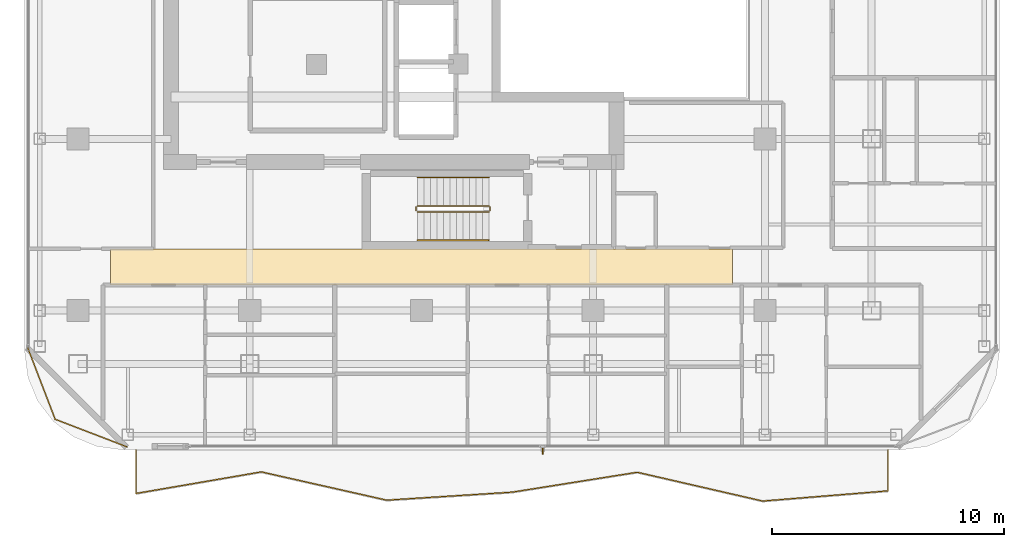
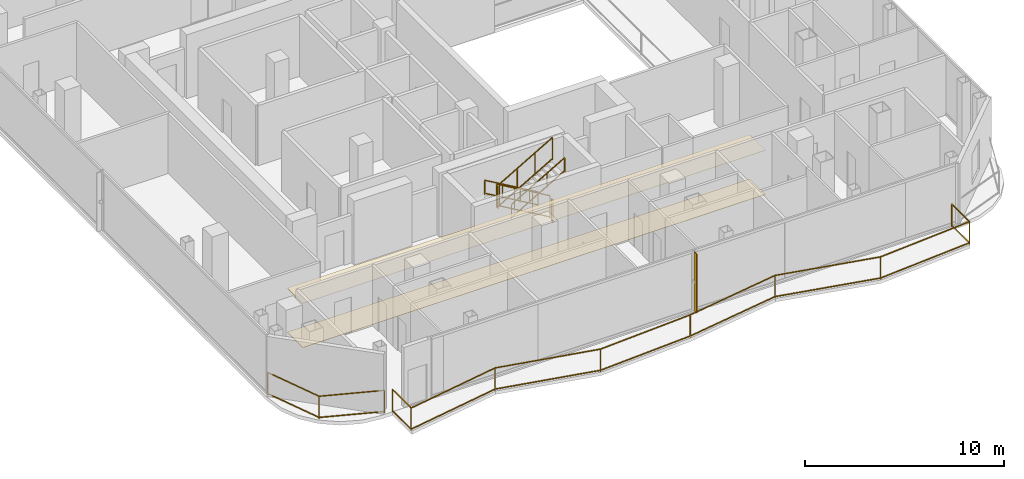
# One storey, part 22 of 26: 8 railings, 2 coverings, 1 shading device.
"""IFC4 building model written with IfcOpenShell, lengths in metres."""

from ifc_helpers import new_model, si_unit, direction, frame, origin, origin_2d, place, context, subcontext, project, spatial, polyline, rectangle, outline, extrude, material, layer, layer_set, type_object, element, save


model = new_model("IFC4")

# Units and contexts
model_context = context("Model", 3, precision=1e-05, world=origin(), true_north=direction((0.0, 1.0)))
body_context = subcontext(model_context, "Body", "Model", "MODEL_VIEW")
ifc_project = project(units=[si_unit("LENGTHUNIT", "METRE"), si_unit("AREAUNIT", "SQUARE_METRE"), si_unit("VOLUMEUNIT", "CUBIC_METRE"), si_unit("PLANEANGLEUNIT", "RADIAN"), si_unit("MASSUNIT", "GRAM", prefix="KILO")], contexts=[model_context])

# Site, building, storey
site_placement = place(None, origin())
site = spatial("IfcSite", under=ifc_project, at=site_placement, CompositionType="ELEMENT")
building_placement = place(site_placement, origin())
building = spatial("IfcBuilding", under=site, at=building_placement, Name="Khorvyn Point Tower", CompositionType="ELEMENT")
storey_placement = place(building_placement, frame((0.0, 0.0, 262.5)))
storey = spatial("IfcBuildingStorey", under=building, at=storey_placement, Name="L64", CompositionType="ELEMENT", Elevation=262.5)

# Railings
ifc_material_1 = material(Name="Anodised aluminium 6063-T6 and laminated safety glass", Category="aluminium")
railing_type_1 = type_object("IfcRailingType", Name="Laminated Glass and Aluminium Balcony Guardrail 1400", PredefinedType="BALUSTRADE", material=ifc_material_1)
railing_1_placement = place(storey_placement, frame((-16.974365234375, -16.386474609375, 0.0)))
element("IfcRailing", 1, at=railing_1_placement, inside=storey, type_object=railing_type_1, Name="L64 Rounded Corner Edge Guardrail SW", PredefinedType="BALUSTRADE", context=body_context, shape_type="SweptSolid", body=[
    extrude(rectangle(XDim=0.048095703125, YDim=0.048095703125, at=origin_2d()), frame((0.0, 0.0, 1.3759765625), z_axis=(0.358367799998, -0.933580483903, 0.0), x_axis=(0.933580483903, 0.358367799998, 0.0)), (0.0, 0.0, 1.0), 3.319091796875),
    extrude(rectangle(XDim=0.048095703125, YDim=0.048095703125, at=origin_2d()), frame((0.0, 0.0, 0.080078125), z_axis=(0.358367799998, -0.933580483903, 0.0), x_axis=(0.933580483903, 0.358367799998, 0.0)), (0.0, 0.0, 1.0), 3.319091796875),
    extrude(rectangle(XDim=0.048095703125, YDim=0.048095703125, at=origin_2d()), frame((1.189453125, -3.0986328125, 1.3759765625), z_axis=(0.933595647299, -0.358328295484, 0.0), x_axis=(0.358328295484, 0.933595647299, 0.0)), (0.0, 0.0, 1.0), 3.31884765625),
    extrude(rectangle(XDim=0.048095703125, YDim=0.048095703125, at=origin_2d()), frame((1.189453125, -3.0986328125, 0.080078125), z_axis=(0.933595647299, -0.358328295484, 0.0), x_axis=(0.358328295484, 0.933595647299, 0.0)), (0.0, 0.0, 1.0), 3.31884765625),
    extrude(rectangle(XDim=0.0419921875, YDim=0.0419921875, at=origin_2d()), origin(), (0.0, 0.0, 1.0), 1.351806640625),
    extrude(rectangle(XDim=0.0419921875, YDim=0.0419921875, at=origin_2d()), frame((1.189453125, -3.0986328125, 0.0)), (0.0, 0.0, 1.0), 1.351806640625),
    extrude(rectangle(XDim=0.0419921875, YDim=0.0419921875, at=origin_2d()), frame((4.287841796875, -4.287841796875, 0.0)), (0.0, 0.0, 1.0), 1.351806640625),
])
railing_2_placement = place(storey_placement, frame((-12.300048828125, -20.800048828125, 0.0)))
element("IfcRailing", 2, at=railing_2_placement, inside=storey, type_object=railing_type_1, Name="L64 South Balcony Guardrail", PredefinedType="BALUSTRADE", context=body_context, shape_type="SweptSolid", body=[
    extrude(rectangle(XDim=0.048095703125, YDim=0.048095703125, at=origin_2d()), frame((0.0, 0.0, 1.3759765625), z_axis=(0.0, -1.0, 0.0), x_axis=(1.0, 0.0, 0.0)), (0.0, 0.0, 1.0), 1.88134765625),
    extrude(rectangle(XDim=0.048095703125, YDim=0.048095703125, at=origin_2d()), frame((0.0, 0.0, 0.080078125), z_axis=(0.0, -1.0, 0.0), x_axis=(1.0, 0.0, 0.0)), (0.0, 0.0, 1.0), 1.88134765625),
    extrude(rectangle(XDim=0.048095703125, YDim=0.048095703125, at=origin_2d()), frame((0.0, -1.88134765625, 1.3759765625), z_axis=(0.985524357442, 0.169533893036, 0.0), x_axis=(-0.169533893036, 0.985524357442, 0.0)), (0.0, 0.0, 1.0), 5.4794921875),
    extrude(rectangle(XDim=0.048095703125, YDim=0.048095703125, at=origin_2d()), frame((0.0, -1.88134765625, 0.080078125), z_axis=(0.985524357442, 0.169533893036, 0.0), x_axis=(-0.169533893036, 0.985524357442, 0.0)), (0.0, 0.0, 1.0), 5.4794921875),
    extrude(rectangle(XDim=0.048095703125, YDim=0.048095703125, at=origin_2d()), frame((5.400146484375, -0.952392578125, 1.3759765625), z_axis=(0.975501488729, -0.219992830535, 0.0), x_axis=(0.219992830535, 0.975501488729, 0.0)), (0.0, 0.0, 1.0), 5.535400390625),
    extrude(rectangle(XDim=0.048095703125, YDim=0.048095703125, at=origin_2d()), frame((5.400146484375, -0.952392578125, 0.080078125), z_axis=(0.975501488729, -0.219992830535, 0.0), x_axis=(0.219992830535, 0.975501488729, 0.0)), (0.0, 0.0, 1.0), 5.535400390625),
    extrude(rectangle(XDim=0.048095703125, YDim=0.048095703125, at=origin_2d()), frame((10.800048828125, -2.170166015625, 1.3759765625), z_axis=(0.997982791222, 0.063485025194, 0.0), x_axis=(-0.063485025194, 0.997982791222, 0.0)), (0.0, 0.0, 1.0), 5.410888671875),
    extrude(rectangle(XDim=0.048095703125, YDim=0.048095703125, at=origin_2d()), frame((10.800048828125, -2.170166015625, 0.080078125), z_axis=(0.997982791222, 0.063485025194, 0.0), x_axis=(-0.063485025194, 0.997982791222, 0.0)), (0.0, 0.0, 1.0), 5.410888671875),
    extrude(rectangle(XDim=0.048095703125, YDim=0.048095703125, at=origin_2d()), frame((16.199951171875, -1.82666015625, 1.3759765625), z_axis=(0.987593686239, 0.157030923392, 0.0), x_axis=(-0.157030923392, 0.987593686239, 0.0)), (0.0, 0.0, 1.0), 5.468017578125),
    extrude(rectangle(XDim=0.048095703125, YDim=0.048095703125, at=origin_2d()), frame((16.199951171875, -1.82666015625, 0.080078125), z_axis=(0.987593686239, 0.157030923392, 0.0), x_axis=(-0.157030923392, 0.987593686239, 0.0)), (0.0, 0.0, 1.0), 5.468017578125),
    extrude(rectangle(XDim=0.048095703125, YDim=0.048095703125, at=origin_2d()), frame((21.60009765625, -0.968017578125, 1.3759765625), z_axis=(0.974604637949, -0.223932578445, 0.0), x_axis=(0.223932578445, 0.974604637949, 0.0)), (0.0, 0.0, 1.0), 5.54052734375),
    extrude(rectangle(XDim=0.048095703125, YDim=0.048095703125, at=origin_2d()), frame((21.60009765625, -0.968017578125, 0.080078125), z_axis=(0.974604637949, -0.223932578445, 0.0), x_axis=(0.223932578445, 0.974604637949, 0.0)), (0.0, 0.0, 1.0), 5.54052734375),
    extrude(rectangle(XDim=0.048095703125, YDim=0.048095703125, at=origin_2d()), frame((27.0, -2.208740234375, 1.3759765625), z_axis=(0.996726987626, 0.080841277445, 0.0), x_axis=(-0.080841277445, 0.996726987626, 0.0)), (0.0, 0.0, 1.0), 5.41796875),
    extrude(rectangle(XDim=0.048095703125, YDim=0.048095703125, at=origin_2d()), frame((27.0, -2.208740234375, 0.080078125), z_axis=(0.996726987626, 0.080841277445, 0.0), x_axis=(-0.080841277445, 0.996726987626, 0.0)), (0.0, 0.0, 1.0), 5.41796875),
    extrude(rectangle(XDim=0.048095703125, YDim=0.048095703125, at=origin_2d()), frame((32.400146484375, -1.770751953125, 1.3759765625), z_axis=(0.0, 1.0, 0.0), x_axis=(-1.0, 0.0, 0.0)), (0.0, 0.0, 1.0), 1.770751953125),
    extrude(rectangle(XDim=0.048095703125, YDim=0.048095703125, at=origin_2d()), frame((32.400146484375, -1.770751953125, 0.080078125), z_axis=(0.0, 1.0, 0.0), x_axis=(-1.0, 0.0, 0.0)), (0.0, 0.0, 1.0), 1.770751953125),
    extrude(rectangle(XDim=0.0419921875, YDim=0.0419921875, at=origin_2d()), origin(), (0.0, 0.0, 1.0), 1.351806640625),
    extrude(rectangle(XDim=0.0419921875, YDim=0.0419921875, at=origin_2d()), frame((0.0, -1.88134765625, 0.0)), (0.0, 0.0, 1.0), 1.351806640625),
    extrude(rectangle(XDim=0.0419921875, YDim=0.0419921875, at=origin_2d()), frame((5.400146484375, -0.952392578125, 0.0)), (0.0, 0.0, 1.0), 1.351806640625),
    extrude(rectangle(XDim=0.0419921875, YDim=0.0419921875, at=origin_2d()), frame((10.800048828125, -2.170166015625, 0.0)), (0.0, 0.0, 1.0), 1.351806640625),
    extrude(rectangle(XDim=0.0419921875, YDim=0.0419921875, at=origin_2d()), frame((16.199951171875, -1.82666015625, 0.0)), (0.0, 0.0, 1.0), 1.351806640625),
    extrude(rectangle(XDim=0.0419921875, YDim=0.0419921875, at=origin_2d()), frame((21.60009765625, -0.968017578125, 0.0)), (0.0, 0.0, 1.0), 1.351806640625),
    extrude(rectangle(XDim=0.0419921875, YDim=0.0419921875, at=origin_2d()), frame((27.0, -2.208740234375, 0.0)), (0.0, 0.0, 1.0), 1.351806640625),
    extrude(rectangle(XDim=0.0419921875, YDim=0.0419921875, at=origin_2d()), frame((32.400146484375, -1.770751953125, 0.0)), (0.0, 0.0, 1.0), 1.351806640625),
    extrude(rectangle(XDim=0.0419921875, YDim=0.0419921875, at=origin_2d()), frame((32.400146484375, 0.0, 0.0)), (0.0, 0.0, 1.0), 1.351806640625),
])

# Shading device
ifc_material_2 = material(Name="Pale anodised aluminium 6063-T6", Category="aluminium")
ifc_layer_1 = layer(ifc_material_2, 0.054931640625)
ifc_layer_set_1 = layer_set([ifc_layer_1], Name="Pale Anodised Aluminium FIN 260x55")
shading_device_type = type_object("IfcShadingDeviceType", Name="Pale Anodised Aluminium FIN 260x55", PredefinedType="USERDEFINED", material=ifc_layer_set_1)
shading_device_placement = place(storey_placement, frame((5.220458984375, -20.8701171875, 0.0400390625), z_axis=(0.0, 0.0, 1.0), x_axis=(0.0, -1.0, 0.0)))
element("IfcShadingDevice", 3, at=shading_device_placement, inside=storey, type_object=shading_device_type, Name="L64 Anodised FIN 01", ObjectType="FIN", PredefinedType="USERDEFINED", context=body_context, shape_type="SweptSolid", body=[
    extrude(rectangle(XDim=0.260009765625, YDim=0.054931640625, at=origin_2d()), origin(), (0.0, 0.0, 1.0), 3.60009765625),
])

# Coverings
ifc_material_3 = material(Name="Mineral-fibre acoustic ceiling board", Category="gypsum")
ifc_layer_2 = layer(ifc_material_3, 0.02001953125)
ifc_layer_set_2 = layer_set([ifc_layer_2], Name="Perforated Mineral-Fibre Acoustic Suspended Ceiling 20")
covering_type_1 = type_object("IfcCoveringType", Name="Perforated Mineral-Fibre Acoustic Suspended Ceiling 20", PredefinedType="CEILING", material=ifc_layer_set_2)
covering_1_placement = place(storey_placement, frame((0.0, 0.0, 2.699951171875)))
element("IfcCovering", 4, at=covering_1_placement, inside=storey, type_object=covering_type_1, Name="L64 South Corridor Acoustic Ceiling", PredefinedType="CEILING", context=body_context, shape_type="SweptSolid", body=[
    extrude(outline(polyline([(-13.39990234375, -13.7099609375), (13.39990234375, -13.7099609375), (13.39990234375, -12.139892578125), (-13.39990234375, -12.139892578125), (-13.39990234375, -13.7099609375)])), origin(), (0.0, 0.0, 1.0), 0.02001953125),
])
ifc_material_4 = material(Name="Vitrified porcelain terrazzo tile", Category="ceramic")
ifc_layer_3 = layer(ifc_material_4, 0.01806640625)
ifc_layer_set_3 = layer_set([ifc_layer_3], Name="Porcelain Terrazzo Corridor Floor Finish Tile 18")
covering_type_2 = type_object("IfcCoveringType", Name="Porcelain Terrazzo Corridor Floor Finish Tile 18", PredefinedType="FLOORING", material=ifc_layer_set_3)
covering_2_placement = place(storey_placement, origin())
element("IfcCovering", 5, at=covering_2_placement, inside=storey, type_object=covering_type_2, Name="L64 South Corridor Terrazzo Flooring", PredefinedType="FLOORING", context=body_context, shape_type="SweptSolid", body=[
    extrude(outline(polyline([(-13.39990234375, -13.7099609375), (13.39990234375, -13.7099609375), (13.39990234375, -12.139892578125), (-13.39990234375, -12.139892578125), (-13.39990234375, -13.7099609375)])), origin(), (0.0, 0.0, 1.0), 0.01806640625),
])

# Railings
ifc_material_5 = material(Name="Stainless steel 1.4301", Category="steel")
railing_type_2 = type_object("IfcRailingType", Name="Stainless Steel 304 Stair Pitch Handrail 900", PredefinedType="HANDRAIL", material=ifc_material_5)
railing_3_placement = place(storey_placement, frame((2.89990234375, -9.070068359375, 0.16259765625)))
element("IfcRailing", 6, at=railing_3_placement, inside=storey, type_object=railing_type_2, Name="L64 ST-01 stair handrail 1", PredefinedType="HANDRAIL", context=body_context, shape_type="SweptSolid", body=[
    extrude(rectangle(XDim=0.048095703125, YDim=0.048095703125, at=origin_2d()), frame((0.0, 0.0, 0.8759765625), z_axis=(-0.864903211148, 0.0, 0.501938676878), x_axis=(0.0, -1.0, 0.0)), (0.0, 0.0, 1.0), 3.560791015625),
    extrude(rectangle(XDim=0.048095703125, YDim=0.048095703125, at=origin_2d()), frame((0.0, 0.0, 0.080078125), z_axis=(-0.864903211148, 0.0, 0.501938676878), x_axis=(0.0, -1.0, 0.0)), (0.0, 0.0, 1.0), 3.560791015625),
    extrude(rectangle(XDim=0.0419921875, YDim=0.0419921875, at=origin_2d()), origin(), (0.0, 0.0, 1.0), 0.851806640625),
    extrude(rectangle(XDim=0.0419921875, YDim=0.0419921875, at=origin_2d()), frame((-1.026611328125, 0.0, 0.595703125)), (0.0, 0.0, 1.0), 0.851806640625),
    extrude(rectangle(XDim=0.0419921875, YDim=0.0419921875, at=origin_2d()), frame((-2.05322265625, 0.0, 1.191650390625)), (0.0, 0.0, 1.0), 0.851806640625),
    extrude(rectangle(XDim=0.0419921875, YDim=0.0419921875, at=origin_2d()), frame((-3.079833984375, 0.0, 1.787353515625)), (0.0, 0.0, 1.0), 0.851806640625),
])
railing_4_placement = place(storey_placement, frame((-0.179931640625, -11.77001953125, 2.112548828125)))
element("IfcRailing", 7, at=railing_4_placement, inside=storey, type_object=railing_type_2, Name="L64 ST-01 stair handrail 2", PredefinedType="HANDRAIL", context=body_context, shape_type="SweptSolid", body=[
    extrude(rectangle(XDim=0.048095703125, YDim=0.048095703125, at=origin_2d()), frame((0.0, 0.0, 0.8759765625), z_axis=(0.864903211148, 0.0, 0.501938676878), x_axis=(0.0, 1.0, 0.0)), (0.0, 0.0, 1.0), 3.560791015625),
    extrude(rectangle(XDim=0.048095703125, YDim=0.048095703125, at=origin_2d()), frame((0.0, 0.0, 0.080078125), z_axis=(0.864903211148, 0.0, 0.501938676878), x_axis=(0.0, 1.0, 0.0)), (0.0, 0.0, 1.0), 3.560791015625),
    extrude(rectangle(XDim=0.0419921875, YDim=0.0419921875, at=origin_2d()), origin(), (0.0, 0.0, 1.0), 0.851806640625),
    extrude(rectangle(XDim=0.0419921875, YDim=0.0419921875, at=origin_2d()), frame((1.026611328125, 0.0, 0.595703125)), (0.0, 0.0, 1.0), 0.851806640625),
    extrude(rectangle(XDim=0.0419921875, YDim=0.0419921875, at=origin_2d()), frame((2.05322265625, 0.0, 1.191650390625)), (0.0, 0.0, 1.0), 0.851806640625),
    extrude(rectangle(XDim=0.0419921875, YDim=0.0419921875, at=origin_2d()), frame((3.079833984375, 0.0, 1.787353515625)), (0.0, 0.0, 1.0), 0.851806640625),
])
railing_type_3 = type_object("IfcRailingType", Name="Stainless Steel 304 Stair Well Guardrail 1400", PredefinedType="GUARDRAIL", material=ifc_material_5)
railing_5_placement = place(storey_placement, frame((2.89990234375, -10.2900390625, 0.16259765625)))
element("IfcRailing", 8, at=railing_5_placement, inside=storey, type_object=railing_type_3, Name="L64 ST-01 stair guard 1", PredefinedType="GUARDRAIL", context=body_context, shape_type="SweptSolid", body=[
    extrude(rectangle(XDim=0.048095703125, YDim=0.048095703125, at=origin_2d()), frame((0.0, 0.0, 1.3759765625), z_axis=(-0.864903211148, 0.0, 0.501938676878), x_axis=(0.0, -1.0, 0.0)), (0.0, 0.0, 1.0), 3.560791015625),
    extrude(rectangle(XDim=0.048095703125, YDim=0.048095703125, at=origin_2d()), frame((0.0, 0.0, 0.080078125), z_axis=(-0.864903211148, 0.0, 0.501938676878), x_axis=(0.0, -1.0, 0.0)), (0.0, 0.0, 1.0), 3.560791015625),
    extrude(rectangle(XDim=0.0419921875, YDim=0.0419921875, at=origin_2d()), origin(), (0.0, 0.0, 1.0), 1.351806640625),
    extrude(rectangle(XDim=0.0419921875, YDim=0.0419921875, at=origin_2d()), frame((-1.026611328125, 0.0, 0.595703125)), (0.0, 0.0, 1.0), 1.351806640625),
    extrude(rectangle(XDim=0.0419921875, YDim=0.0419921875, at=origin_2d()), frame((-2.05322265625, 0.0, 1.191650390625)), (0.0, 0.0, 1.0), 1.351806640625),
    extrude(rectangle(XDim=0.0419921875, YDim=0.0419921875, at=origin_2d()), frame((-3.079833984375, 0.0, 1.787353515625)), (0.0, 0.0, 1.0), 1.351806640625),
])
railing_6_placement = place(storey_placement, frame((-0.22998046875, -10.340087890625, 1.949951171875)))
element("IfcRailing", 9, at=railing_6_placement, inside=storey, type_object=railing_type_3, Name="L64 ST-01 stair guard 2", PredefinedType="GUARDRAIL", context=body_context, shape_type="SweptSolid", body=[
    extrude(rectangle(XDim=0.048095703125, YDim=0.048095703125, at=origin_2d()), frame((0.0, 0.0, 1.3759765625), z_axis=(0.0, -1.0, 0.0), x_axis=(1.0, 0.0, 0.0)), (0.0, 0.0, 1.0), 0.159912109375),
    extrude(rectangle(XDim=0.048095703125, YDim=0.048095703125, at=origin_2d()), frame((0.0, 0.0, 0.080078125), z_axis=(0.0, -1.0, 0.0), x_axis=(1.0, 0.0, 0.0)), (0.0, 0.0, 1.0), 0.159912109375),
    extrude(rectangle(XDim=0.0419921875, YDim=0.0419921875, at=origin_2d()), origin(), (0.0, 0.0, 1.0), 1.351806640625),
    extrude(rectangle(XDim=0.0419921875, YDim=0.0419921875, at=origin_2d()), frame((0.0, -0.159912109375, 0.0)), (0.0, 0.0, 1.0), 1.351806640625),
])
railing_7_placement = place(storey_placement, frame((-0.179931640625, -10.550048828125, 2.112548828125)))
element("IfcRailing", 10, at=railing_7_placement, inside=storey, type_object=railing_type_3, Name="L64 ST-01 stair guard 3", PredefinedType="GUARDRAIL", context=body_context, shape_type="SweptSolid", body=[
    extrude(rectangle(XDim=0.048095703125, YDim=0.048095703125, at=origin_2d()), frame((0.0, 0.0, 1.3759765625), z_axis=(0.864903211148, 0.0, 0.501938676878), x_axis=(0.0, 1.0, 0.0)), (0.0, 0.0, 1.0), 3.560791015625),
    extrude(rectangle(XDim=0.048095703125, YDim=0.048095703125, at=origin_2d()), frame((0.0, 0.0, 0.080078125), z_axis=(0.864903211148, 0.0, 0.501938676878), x_axis=(0.0, 1.0, 0.0)), (0.0, 0.0, 1.0), 3.560791015625),
    extrude(rectangle(XDim=0.0419921875, YDim=0.0419921875, at=origin_2d()), origin(), (0.0, 0.0, 1.0), 1.351806640625),
    extrude(rectangle(XDim=0.0419921875, YDim=0.0419921875, at=origin_2d()), frame((1.026611328125, 0.0, 0.595703125)), (0.0, 0.0, 1.0), 1.351806640625),
    extrude(rectangle(XDim=0.0419921875, YDim=0.0419921875, at=origin_2d()), frame((2.05322265625, 0.0, 1.191650390625)), (0.0, 0.0, 1.0), 1.351806640625),
    extrude(rectangle(XDim=0.0419921875, YDim=0.0419921875, at=origin_2d()), frame((3.079833984375, 0.0, 1.787353515625)), (0.0, 0.0, 1.0), 1.351806640625),
])
railing_8_placement = place(storey_placement, frame((2.949951171875, -10.340087890625, 0.0)))
element("IfcRailing", 11, at=railing_8_placement, inside=storey, type_object=railing_type_3, Name="L64 ST-01 stair guard 4", PredefinedType="GUARDRAIL", context=body_context, shape_type="SweptSolid", body=[
    extrude(rectangle(XDim=0.048095703125, YDim=0.048095703125, at=origin_2d()), frame((0.0, 0.0, 1.3759765625), z_axis=(0.0, -1.0, 0.0), x_axis=(1.0, 0.0, 0.0)), (0.0, 0.0, 1.0), 0.159912109375),
    extrude(rectangle(XDim=0.048095703125, YDim=0.048095703125, at=origin_2d()), frame((0.0, 0.0, 0.080078125), z_axis=(0.0, -1.0, 0.0), x_axis=(1.0, 0.0, 0.0)), (0.0, 0.0, 1.0), 0.159912109375),
    extrude(rectangle(XDim=0.0419921875, YDim=0.0419921875, at=origin_2d()), origin(), (0.0, 0.0, 1.0), 1.351806640625),
    extrude(rectangle(XDim=0.0419921875, YDim=0.0419921875, at=origin_2d()), frame((0.0, -0.159912109375, 0.0)), (0.0, 0.0, 1.0), 1.351806640625),
])

save(model, "model.ifc")
